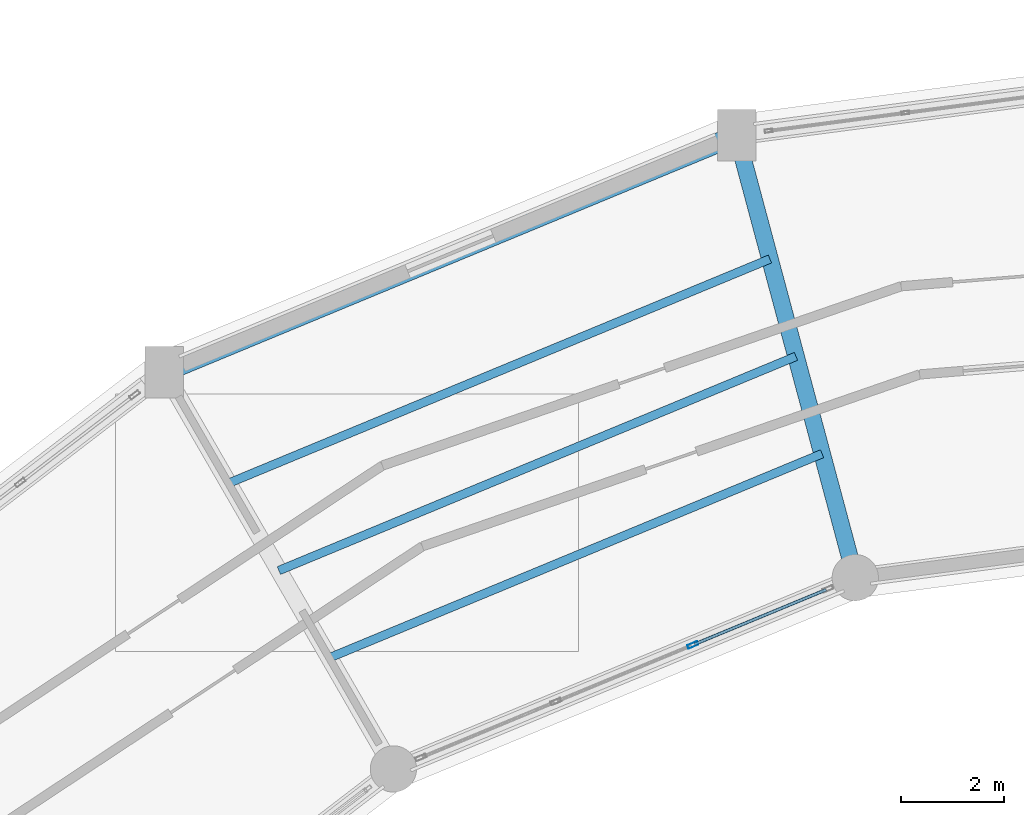
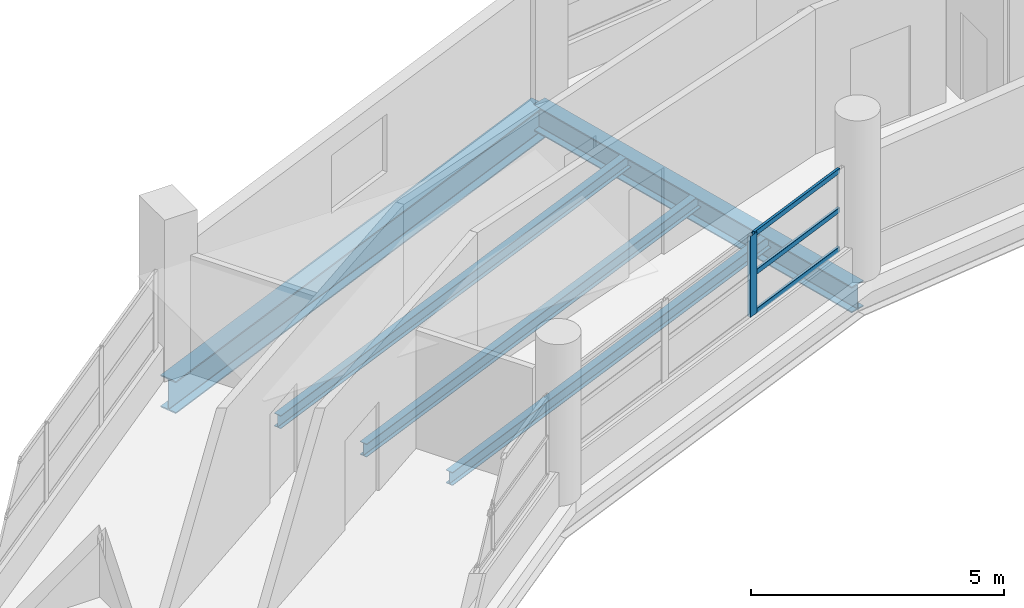
# One storey, part 47 of 121: 5 beams, 4 members, 1 element without a shape of its own.
"""IFC4 building model written with IfcOpenShell, lengths in metres."""

from ifc_helpers import new_model, si_unit, direction, frame, origin, origin_2d, place, context, subcontext, project, spatial, hollow_rectangle, i_section, extrude, material, layer, layer_set, material_profile, profile_set, type_object, element, aggregate, save


model = new_model("IFC4")

# Units and contexts
model_context = context("Model", 3, precision=1e-05, world=origin(), true_north=direction((0.0, 1.0)))
body_context = subcontext(model_context, "Body", "Model", "MODEL_VIEW")
ifc_project = project(units=[si_unit("LENGTHUNIT", "METRE"), si_unit("AREAUNIT", "SQUARE_METRE"), si_unit("VOLUMEUNIT", "CUBIC_METRE"), si_unit("PLANEANGLEUNIT", "RADIAN"), si_unit("MASSUNIT", "GRAM", prefix="KILO")], contexts=[model_context])

# Site, building, storey
site_placement = place(None, origin())
site = spatial("IfcSite", under=ifc_project, at=site_placement, CompositionType="ELEMENT")
building_placement = place(site_placement, origin())
building = spatial("IfcBuilding", under=site, at=building_placement, Name="Vespera Passage Community Centre", CompositionType="ELEMENT")
storey_placement = place(building_placement, frame((0.0, 0.0, 8.699951171875)))
storey = spatial("IfcBuildingStorey", under=building, at=storey_placement, Name="L02", CompositionType="ELEMENT", Elevation=8.699951171875)

# Beams
ifc_material_1 = material(Name="Steel ASTM A992 Grade 50", Category="steel")
ifc_material_profile_1 = material_profile(ifc_material_1, i_section(OverallWidth=0.32763671875, OverallDepth=0.62841796875, WebThickness=0.0166015625, FlangeThickness=0.027587890625, FilletRadius=0.0126953125, at=origin_2d()), Name="W24X146")
ifc_profile_set_1 = profile_set([ifc_material_profile_1], Name="Steel ASTM A992 Grade 50")
beam_type_1 = type_object("IfcBeamType", Name="BM-G-W24X146", PredefinedType="BEAM", material=ifc_profile_set_1)
beam_1_placement = place(storey_placement, frame((68.371826171875, 101.432373046875, -0.654052734375), z_axis=(-0.258811497245, 0.9659278487, 0.0), x_axis=(-0.9659278487, -0.258811497245, 0.0)))
element("IfcBeam", 1, at=beam_1_placement, inside=storey, type_object=beam_type_1, Name="V4 L02 Radial Girder 7", PredefinedType="BEAM", context=body_context, shape_type="SweptSolid", body=[
    extrude(i_section(OverallWidth=0.32763671875, OverallDepth=0.62841796875, WebThickness=0.0166015625, FlangeThickness=0.027587890625, FilletRadius=0.0126953125, at=origin_2d()), origin(), (0.0, 0.0, 1.0), 8.900146484375),
])
ifc_material_2 = material(Name="Steel ASTM A992 Grade 50", Category="steel")
ifc_material_profile_2 = material_profile(ifc_material_2, i_section(OverallWidth=0.16650390625, OverallDepth=0.3173828125, WebThickness=0.007568359375, FlangeThickness=0.01318359375, FilletRadius=0.007568359375, at=origin_2d()), Name="W12X35")
ifc_profile_set_2 = profile_set([ifc_material_profile_2], Name="Steel ASTM A992 Grade 50")
beam_type_2 = type_object("IfcBeamType", Name="BM-J-W12X35", PredefinedType="JOIST", material=ifc_profile_set_2)
beam_2_placement = place(storey_placement, frame((67.726806640625, 103.839599609375, -0.498779296875), z_axis=(-0.923873815861, -0.382697233288, 0.0), x_axis=(0.382697233288, -0.923873815861, 0.0)))
element("IfcBeam", 2, at=beam_2_placement, inside=storey, type_object=beam_type_2, Name="V4 L02 Floor Joist 7.1", PredefinedType="JOIST", context=body_context, shape_type="SweptSolid", body=[
    extrude(i_section(OverallWidth=0.16650390625, OverallDepth=0.3173828125, WebThickness=0.007568359375, FlangeThickness=0.01318359375, FilletRadius=0.007568359375, at=origin_2d()), origin(), (0.0, 0.0, 1.0), 10.361572265625),
])
beam_3_placement = place(storey_placement, frame((67.22021484375, 105.730712890625, -0.498779296875), z_axis=(-0.923886018589, -0.382667773212, 0.0), x_axis=(0.382667773212, -0.923886018589, 0.0)))
element("IfcBeam", 3, at=beam_3_placement, inside=storey, type_object=beam_type_2, Name="V4 L02 Floor Joist 7.2", PredefinedType="JOIST", context=body_context, shape_type="SweptSolid", body=[
    extrude(i_section(OverallWidth=0.16650390625, OverallDepth=0.3173828125, WebThickness=0.007568359375, FlangeThickness=0.01318359375, FilletRadius=0.007568359375, at=origin_2d()), origin(), (0.0, 0.0, 1.0), 10.872802734375),
])
beam_4_placement = place(storey_placement, frame((66.71337890625, 107.6220703125, -0.498779296875), z_axis=(-0.923878820173, -0.382685152097, 0.0), x_axis=(0.382685152097, -0.923878820173, 0.0)))
element("IfcBeam", 4, at=beam_4_placement, inside=storey, type_object=beam_type_2, Name="V4 L02 Floor Joist 7.3", PredefinedType="JOIST", context=body_context, shape_type="SweptSolid", body=[
    extrude(i_section(OverallWidth=0.16650390625, OverallDepth=0.3173828125, WebThickness=0.007568359375, FlangeThickness=0.01318359375, FilletRadius=0.007568359375, at=origin_2d()), origin(), (0.0, 0.0, 1.0), 11.3837890625),
])
ifc_material_3 = material(Name="Steel ASTM A992 Grade 50", Category="steel")
ifc_material_profile_3 = material_profile(ifc_material_3, i_section(OverallWidth=0.382080078125, OverallDepth=0.779296875, WebThickness=0.01806640625, FlangeThickness=0.030029296875, FilletRadius=0.0166015625, at=origin_2d()), Name="W30X191")
ifc_profile_set_3 = profile_set([ifc_material_profile_3], Name="Steel ASTM A992 Grade 50")
beam_type_3 = type_object("IfcBeamType", Name="BM-SP-W30X191E", PredefinedType="SPANDREL", material=ifc_profile_set_3)
beam_5_placement = place(storey_placement, frame((66.068359375, 110.029296875, -0.729736328125), z_axis=(-0.923877379647, -0.382688629799, 0.0), x_axis=(0.382688629799, -0.923877379647, 0.0)))
element("IfcBeam", 5, at=beam_5_placement, inside=storey, type_object=beam_type_3, Name="V4 L02 Outer Spandrel 7", PredefinedType="SPANDREL", context=body_context, shape_type="SweptSolid", body=[
    extrude(i_section(OverallWidth=0.382080078125, OverallDepth=0.779296875, WebThickness=0.01806640625, FlangeThickness=0.030029296875, FilletRadius=0.0166015625, at=origin_2d()), origin(), (0.0, 0.0, 1.0), 12.034423828125),
])

# Curtain wall, members
ifc_material_4 = material(Name="Anodized aluminium 6063-T6", Category="aluminium")
ifc_layer = layer(ifc_material_4, 0.159912109375)
ifc_layer_set = layer_set([ifc_layer], Name="Anodized aluminium 6063-T6")
curtain_wall_type = type_object("IfcCurtainWallType", Name="CW-25E", PredefinedType="NOTDEFINED", material=ifc_layer_set)
curtain_wall_placement = place(storey_placement, origin())
curtain_wall = element("IfcCurtainWall", 6, at=curtain_wall_placement, inside=storey, type_object=curtain_wall_type, Name="V4 L02 Inner Court Curtain Wall 7", PredefinedType="NOTDEFINED")
ifc_material_5 = material(Name="Anodized aluminium 6063-T6", Category="aluminium")
ifc_material_profile_4 = material_profile(ifc_material_5, hollow_rectangle(XDim=0.074951171875, YDim=0.2099609375, WallThickness=0.0048828125, InnerFilletRadius=0.00244140625, OuterFilletRadius=0.0048828125, at=origin_2d()), Name="ALU210X75X5")
ifc_profile_set_4 = profile_set([ifc_material_profile_4], Name="Anodized aluminium 6063-T6")
member_type_1 = type_object("IfcMemberType", Name="MB-CWM-210E", PredefinedType="MULLION", material=ifc_profile_set_4)
member_1_placement = place(storey_placement, frame((65.215087890625, 100.124755859375, 0.820068359375), z_axis=(0.0, 0.0, 1.0), x_axis=(0.382690463482, -0.923876620096, 0.0)))
member_1 = element("IfcMember", 7, at=member_1_placement, type_object=member_type_1, Name="CW-25E mullion 2", PredefinedType="MULLION", context=body_context, shape_type="SweptSolid", body=[
    extrude(hollow_rectangle(XDim=0.074951171875, YDim=0.2099609375, WallThickness=0.0048828125, InnerFilletRadius=0.00244140625, OuterFilletRadius=0.0048828125, at=origin_2d()), origin(), (0.0, 0.0, 1.0), 1.949462890625),
])
ifc_material_6 = material(Name="Anodized aluminium 6063-T6", Category="aluminium")
ifc_material_profile_5 = material_profile(ifc_material_6, hollow_rectangle(XDim=0.06005859375, YDim=0.1201171875, WallThickness=0.00390625, InnerFilletRadius=0.001953125, OuterFilletRadius=0.00390625, at=origin_2d()), Name="ALU120X60X4")
ifc_profile_set_5 = profile_set([ifc_material_profile_5], Name="Anodized aluminium 6063-T6")
member_type_2 = type_object("IfcMemberType", Name="MB-CWT-120E", PredefinedType="USERDEFINED", material=ifc_profile_set_5)
member_2_placement = place(storey_placement, frame((67.803955078125, 101.197265625, 0.85009765625), z_axis=(-0.923863992677, -0.382720946689, 0.0), x_axis=(0.382720946689, -0.923863992677, 0.0)))
member_2 = element("IfcMember", 8, at=member_2_placement, type_object=member_type_2, Name="CW-25E transom 1.1", ObjectType="TRANSOM", PredefinedType="USERDEFINED", context=body_context, shape_type="SweptSolid", body=[
    extrude(hollow_rectangle(XDim=0.06005859375, YDim=0.1201171875, WallThickness=0.00390625, InnerFilletRadius=0.001953125, OuterFilletRadius=0.00390625, at=origin_2d()), origin(), (0.0, 0.0, 1.0), 2.7646484375),
])
member_3_placement = place(storey_placement, frame((67.803955078125, 101.197265625, 1.794677734375), z_axis=(-0.923863992677, -0.382720946689, 0.0), x_axis=(0.382720946689, -0.923863992677, 0.0)))
member_3 = element("IfcMember", 9, at=member_3_placement, type_object=member_type_2, Name="CW-25E transom 1.2", ObjectType="TRANSOM", PredefinedType="USERDEFINED", context=body_context, shape_type="SweptSolid", body=[
    extrude(hollow_rectangle(XDim=0.06005859375, YDim=0.1201171875, WallThickness=0.00390625, InnerFilletRadius=0.001953125, OuterFilletRadius=0.00390625, at=origin_2d()), origin(), (0.0, 0.0, 1.0), 2.7646484375),
])
member_4_placement = place(storey_placement, frame((67.803955078125, 101.197265625, 2.739501953125), z_axis=(-0.923863992677, -0.382720946689, 0.0), x_axis=(0.382720946689, -0.923863992677, 0.0)))
member_4 = element("IfcMember", 10, at=member_4_placement, type_object=member_type_2, Name="CW-25E transom 1.3", ObjectType="TRANSOM", PredefinedType="USERDEFINED", context=body_context, shape_type="SweptSolid", body=[
    extrude(hollow_rectangle(XDim=0.06005859375, YDim=0.1201171875, WallThickness=0.00390625, InnerFilletRadius=0.001953125, OuterFilletRadius=0.00390625, at=origin_2d()), origin(), (0.0, 0.0, 1.0), 2.7646484375),
])
aggregate(curtain_wall, [member_1, member_2, member_3, member_4])

save(model, "model.ifc")
